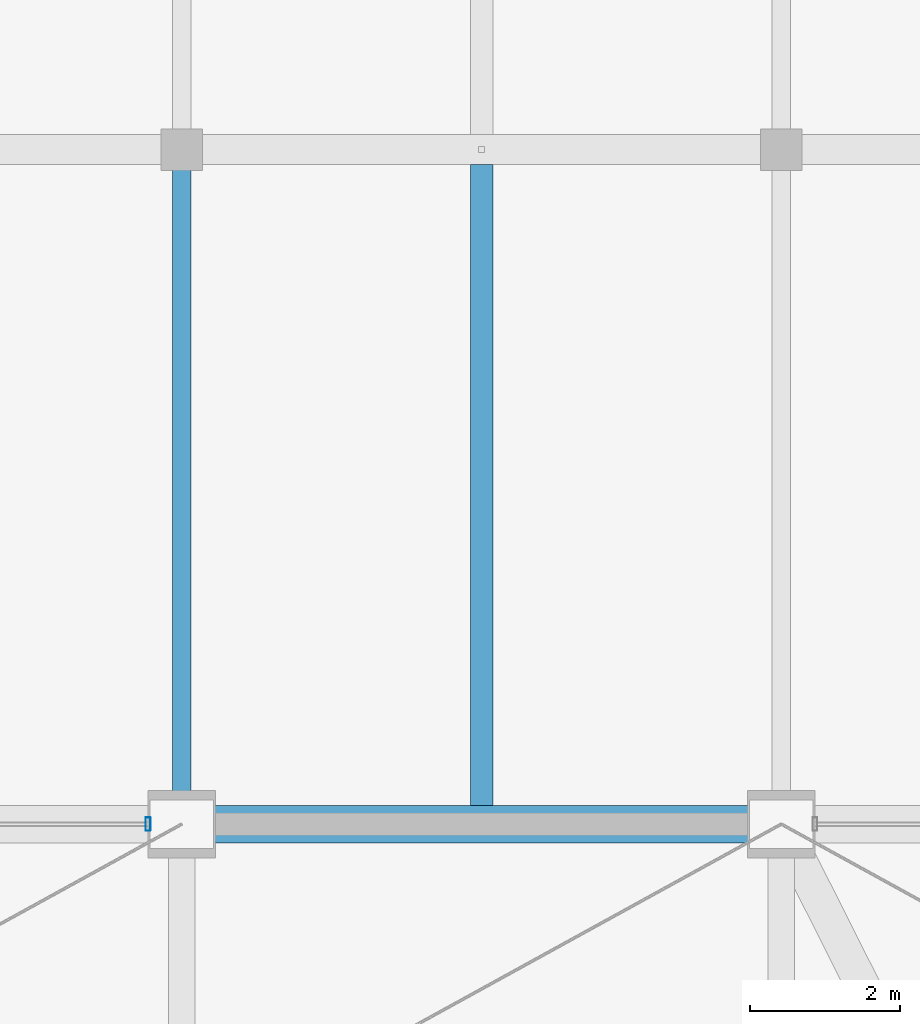
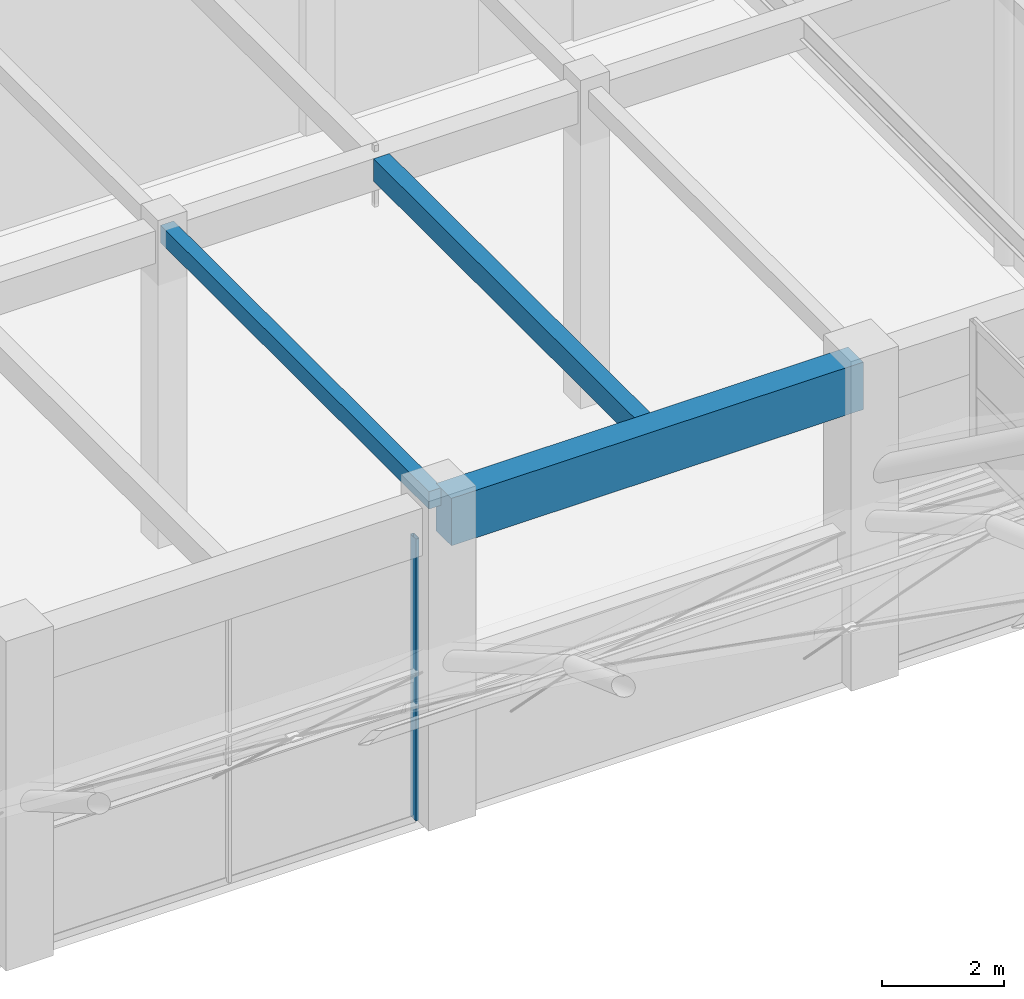
# One storey, part 56 of 163: 3 beams, 1 member, 1 element without a shape of its own.
"""IFC4 building model written with IfcOpenShell, lengths in metres."""

import ifcopenshell
import ifcopenshell.guid

model = None  # the IFC model being written
_history = None  # IfcOwnerHistory: only IFC2X3 demands one
_inside = {}  # id of a spatial element -> (the spatial element, [elements in it])
_under = {}  # id of a project, library or spatial element -> (it, [spatial elements below it])
_declared = {}  # id of a project -> (the project, [libraries it declares])
_typed = {}  # id of a type object -> (the type object, [elements of that type])
_made_of = {}  # id of a material, layer set ... -> (it, [elements and type objects made of it])


def new_model(schema):
    """Start an empty IFC model of exactly this schema.

    Asked for "IFC4X3", IfcOpenShell would pick the latest addendum, in which some entities
    have other attributes; the version numbers below select the first issue.
    IFC2X3 requires an IfcOwnerHistory on every rooted entity: one is made here for all.
    """
    global model, _history
    if schema == "IFC4X3":
        model = ifcopenshell.file(schema_version=(4, 3, 0, 0))
    else:
        model = ifcopenshell.file(schema=schema)
    _inside.clear()
    _under.clear()
    _declared.clear()
    _typed.clear()
    _made_of.clear()
    _history = None
    if model.schema == "IFC2X3":
        org = make("IfcOrganization", Name="unknown")
        user = make(
            "IfcPersonAndOrganization",
            ThePerson=make("IfcPerson", FamilyName="unknown"),
            TheOrganization=org,
        )
        app = make(
            "IfcApplication",
            ApplicationDeveloper=org,
            Version="unknown",
            ApplicationFullName="unknown",
            ApplicationIdentifier="unknown",
        )
        _history = make(
            "IfcOwnerHistory",
            OwningUser=user,
            OwningApplication=app,
            ChangeAction="ADDED",
            CreationDate=0,
        )
    return model


def make(cls, **values):
    """One entity of the class cls with the attributes given. An attribute that is None is left unset."""
    return model.create_entity(
        cls, **{name: value for name, value in values.items() if value is not None}
    )


def rooted(cls, **values):
    """An entity with a GlobalId (a new one), such as an element, a storey or a relation."""
    return make(cls, GlobalId=ifcopenshell.guid.new(), OwnerHistory=_history, **values)


def si_unit(unit_type, name, prefix=None):
    """IfcSIUnit, for example si_unit("LENGTHUNIT", "METRE", prefix="MILLI")."""
    return make("IfcSIUnit", UnitType=unit_type, Prefix=prefix, Name=name)


def assignment(units):
    """IfcUnitAssignment: the units of a project."""
    return None if units is None else make("IfcUnitAssignment", Units=units)


def point(xyz):
    """IfcCartesianPoint."""
    return None if xyz is None else make("IfcCartesianPoint", Coordinates=xyz)


def direction(xyz):
    """IfcDirection."""
    return None if xyz is None else make("IfcDirection", DirectionRatios=xyz)


def frame(location, z_axis=None, x_axis=None):
    """IfcAxis2Placement3D, a coordinate frame: its origin and axes. An axis left out is left unset."""
    return make(
        "IfcAxis2Placement3D",
        Location=point(location),
        Axis=direction(z_axis),
        RefDirection=direction(x_axis),
    )


def frame_2d(location, x_axis=None):
    """IfcAxis2Placement2D, a coordinate frame in the plane: its origin and x axis."""
    return make(
        "IfcAxis2Placement2D", Location=point(location), RefDirection=direction(x_axis)
    )


def origin():
    """The frame at (0, 0, 0) with its axes left unset."""
    return frame((0.0, 0.0, 0.0))


def origin_2d():
    """The frame at (0, 0) in the plane with its x axis left unset."""
    return frame_2d((0.0, 0.0))


def place(relative_to, where):
    """IfcLocalPlacement: puts the frame where relative to a parent placement (None: the world)."""
    return make(
        "IfcLocalPlacement", PlacementRelTo=relative_to, RelativePlacement=where
    )


def context(
    kind, dimensions, precision=None, world=None, true_north=None, identifier=None
):
    """IfcGeometricRepresentationContext, for example the 3D "Model" context."""
    return make(
        "IfcGeometricRepresentationContext",
        ContextIdentifier=identifier,
        ContextType=kind,
        CoordinateSpaceDimension=dimensions,
        Precision=precision,
        WorldCoordinateSystem=world,
        TrueNorth=true_north,
    )


def subcontext(parent, identifier, kind, view, scale=None):
    """IfcGeometricRepresentationSubContext, for example "Body" below "Model"."""
    return make(
        "IfcGeometricRepresentationSubContext",
        ContextIdentifier=identifier,
        ContextType=kind,
        ParentContext=parent,
        TargetScale=scale,
        TargetView=view,
    )


def project(units=None, contexts=None):
    """IfcProject with its units and contexts."""
    return rooted(
        "IfcProject",
        Name="project",
        RepresentationContexts=contexts,
        UnitsInContext=assignment(units),
    )


def spatial(cls, under=None, at=None, **own):
    """A site, building, storey or space (cls), placed at a placement, below another one or the project."""
    s = rooted(cls, ObjectPlacement=at, **own)
    if under is not None:
        _under.setdefault(under.id(), (under, []))[1].append(s)
    return s


def profile(cls, at=None, kind="AREA", **sizes):
    """A parametric profile (cls). Its sizes go by their IFC names, for example OverallWidth=200.0."""
    return make(cls, ProfileType=kind, Position=at, **sizes)


def rectangle(**sizes):
    """IfcRectangleProfileDef."""
    return profile("IfcRectangleProfileDef", **sizes)


def hollow_rectangle(**sizes):
    """IfcRectangleHollowProfileDef."""
    return profile("IfcRectangleHollowProfileDef", **sizes)


def extrude(swept, where, along, depth):
    """IfcExtrudedAreaSolid: the profile swept, set in the frame where, extruded along a direction by depth."""
    return make(
        "IfcExtrudedAreaSolid",
        SweptArea=swept,
        Position=where,
        ExtrudedDirection=direction(along),
        Depth=depth,
    )


def shape(context_of_items, identifier, shape_type, items):
    """IfcShapeRepresentation: the items that make up one representation, for example the "Body"."""
    return make(
        "IfcShapeRepresentation",
        ContextOfItems=context_of_items,
        RepresentationIdentifier=identifier,
        RepresentationType=shape_type,
        Items=items,
    )


def material(Name=None, Category=None):
    """IfcMaterial."""
    return make("IfcMaterial", Name=Name, Category=Category)


def material_profile(
    of_material, cross_section, Name=None, Category=None, Priority=None
):
    """IfcMaterialProfile: a cross section and its material."""
    return make(
        "IfcMaterialProfile",
        Name=Name,
        Material=of_material,
        Profile=cross_section,
        Priority=Priority,
        Category=Category,
    )


def profile_set(profiles, Name=None, composite=None):
    """IfcMaterialProfileSet."""
    return make(
        "IfcMaterialProfileSet",
        Name=Name,
        MaterialProfiles=profiles,
        CompositeProfile=composite,
    )


def made_of(thing, what):
    """Note that an element or type object is made of a material, layer set ...; save() writes the relation."""
    if what is not None:
        _made_of.setdefault(what.id(), (what, []))[1].append(thing)
    return thing


def type_object(cls, material=None, **own):
    """A type object (cls), such as IfcWallType, which elements share."""
    return made_of(rooted(cls, **own), material)


def element(
    cls,
    number,
    at=None,
    inside=None,
    cuts=None,
    type_object=None,
    material=None,
    context=None,
    identifier="Body",
    shape_type=None,
    held_by="IfcProductDefinitionShape",
    body=None,
    shapes=None,
    **own,
):
    """One element of the class cls, such as IfcWall. Its Tag is "e" and its number.

    at: its placement. inside: the storey or other place that contains it. cuts: it is an
    opening in that element (IfcRelVoidsElement). A single representation is given by context,
    identifier, shape_type and body (its items); several are given by shapes. held_by: the class
    of the entity that holds the representations. save() writes the other relations.
    """
    e = rooted(cls, Tag="e%d" % number, ObjectPlacement=at, **own)
    if body is not None:
        shapes = [shape(context, identifier, shape_type, body)]
    if shapes is not None:
        e.Representation = make(held_by, Representations=shapes)
    if inside is not None:
        _inside.setdefault(inside.id(), (inside, []))[1].append(e)
    if cuts is not None:
        rooted(
            "IfcRelVoidsElement", RelatingBuildingElement=cuts, RelatedOpeningElement=e
        )
    if type_object is not None:
        _typed.setdefault(type_object.id(), (type_object, []))[1].append(e)
    return made_of(e, material)


def aggregate(whole, parts):
    """IfcRelAggregates: a whole, such as a stair, and the parts it consists of."""
    return rooted("IfcRelAggregates", RelatingObject=whole, RelatedObjects=parts)


def save(model, path):
    """Write the relations noted so far, then the file.

    IfcRelAggregates (storeys below a building ...), IfcRelContainedInSpatialStructure (elements
    in a storey), IfcRelDefinesByType, IfcRelAssociatesMaterial and IfcRelDeclares: one each for
    every whole, place, type object, material and project.
    """
    for whole, parts in _under.values():
        aggregate(whole, parts)
    for where, things in _inside.values():
        rooted(
            "IfcRelContainedInSpatialStructure",
            RelatedElements=things,
            RelatingStructure=where,
        )
    for kind, things in _typed.values():
        rooted("IfcRelDefinesByType", RelatedObjects=things, RelatingType=kind)
    for what, things in _made_of.values():
        rooted("IfcRelAssociatesMaterial", RelatedObjects=things, RelatingMaterial=what)
    for by, libraries in _declared.values():
        rooted("IfcRelDeclares", RelatingContext=by, RelatedDefinitions=libraries)
    model.write(path)


model = new_model("IFC4")

# Units and contexts
model_context = context("Model", 3, precision=1e-05, world=origin(), true_north=direction((0.0, 1.0)))
body_context = subcontext(model_context, "Body", "Model", "MODEL_VIEW")
ifc_project = project(units=[si_unit("LENGTHUNIT", "METRE"), si_unit("AREAUNIT", "SQUARE_METRE"), si_unit("VOLUMEUNIT", "CUBIC_METRE"), si_unit("PLANEANGLEUNIT", "RADIAN"), si_unit("MASSUNIT", "GRAM", prefix="KILO")], contexts=[model_context])

# Site, building, storey
site_placement = place(None, origin())
site = spatial("IfcSite", under=ifc_project, at=site_placement, CompositionType="ELEMENT")
building_placement = place(site_placement, origin())
building = spatial("IfcBuilding", under=site, at=building_placement, Name="Varnabhumi Central Station", CompositionType="ELEMENT")
storey_placement = place(building_placement, frame((0.0, 0.0, 9.60009765625)))
storey = spatial("IfcBuildingStorey", under=building, at=storey_placement, Name="L02", CompositionType="ELEMENT", Elevation=9.60009765625)

# Beams
ifc_material_1 = material(Name="Concrete M35", Category="concrete")
ifc_material_profile_1 = material_profile(ifc_material_1, rectangle(XDim=0.25, YDim=0.35009765625, at=origin_2d()), Name="Concrete M35", Category="concrete")
ifc_profile_set_1 = profile_set([ifc_material_profile_1], Name="Concrete M35")
beam_type_1 = type_object("IfcBeamType", Name="BM-RC-250x350", PredefinedType="LINTEL", material=ifc_profile_set_1)
beam_1_placement = place(storey_placement, frame((32.0, 80.10009765625, 6.1748046875), z_axis=(0.0, 1.0, 0.0), x_axis=(-1.0, 0.0, 0.0)))
element("IfcBeam", 1, at=beam_1_placement, inside=storey, type_object=beam_type_1, Name="Beam L02-5:K-L", PredefinedType="LINTEL", context=body_context, shape_type="SweptSolid", body=[
    extrude(rectangle(XDim=0.25, YDim=0.35009765625, at=origin_2d()), origin(), (0.0, 0.0, 1.0), 8.7998046875),
])
ifc_material_2 = material(Name="Concrete M40", Category="concrete")
ifc_material_profile_2 = material_profile(ifc_material_2, rectangle(XDim=0.300048828125, YDim=0.449951171875, at=origin_2d()), Name="Concrete M40", Category="concrete")
ifc_profile_set_2 = profile_set([ifc_material_profile_2], Name="Concrete M40")
beam_type_2 = type_object("IfcBeamType", Name="BM-RC-300x450", PredefinedType="JOIST", material=ifc_profile_set_2)
beam_2_placement = place(storey_placement, frame((36.0, 80.25, 6.125), z_axis=(0.0, 1.0, 0.0), x_axis=(-1.0, 0.0, 0.0)))
element("IfcBeam", 2, at=beam_2_placement, inside=storey, type_object=beam_type_2, Name="Secondary Joist L02-5/6:K-L", PredefinedType="JOIST", context=body_context, shape_type="SweptSolid", body=[
    extrude(rectangle(XDim=0.300048828125, YDim=0.449951171875, at=origin_2d()), origin(), (0.0, 0.0, 1.0), 8.550048828125),
])
ifc_material_profile_3 = material_profile(ifc_material_2, rectangle(XDim=0.5, YDim=0.949951171875, at=origin_2d()), Name="Concrete M40", Category="concrete")
ifc_profile_set_3 = profile_set([ifc_material_profile_3], Name="Concrete M40")
beam_type_3 = type_object("IfcBeamType", Name="BM-RC-950x500", PredefinedType="BEAM", material=ifc_profile_set_3)
beam_3_placement = place(storey_placement, frame((32.10009765625, 80.0, 5.875), z_axis=(1.0, 0.0, 0.0), x_axis=(0.0, 1.0, 0.0)))
element("IfcBeam", 3, at=beam_3_placement, inside=storey, type_object=beam_type_3, Name="Beam L02-K:5-6", PredefinedType="BEAM", context=body_context, shape_type="SweptSolid", body=[
    extrude(rectangle(XDim=0.5, YDim=0.949951171875, at=origin_2d()), origin(), (0.0, 0.0, 1.0), 7.7998046875),
])

# Curtain wall, member
ifc_material_3 = material(Name="Anodised aluminium 6063-T6", Category="aluminium")
curtain_wall_type = type_object("IfcCurtainWallType", Name="CW-SPINE-SCREEN-L2", PredefinedType="NOTDEFINED", material=ifc_material_3)
curtain_wall_placement = place(storey_placement, origin())
curtain_wall = element("IfcCurtainWall", 4, at=curtain_wall_placement, inside=storey, type_object=curtain_wall_type, Name="Curtain Wall CW-NS200", PredefinedType="NOTDEFINED")
ifc_material_profile_4 = material_profile(ifc_material_3, hollow_rectangle(XDim=0.06494140625, YDim=0.179931640625, WallThickness=0.00390625, InnerFilletRadius=0.001953125, OuterFilletRadius=0.006103515625, at=origin_2d()), Name="Anodised aluminium 6063-T6", Category="aluminium")
ifc_profile_set_4 = profile_set([ifc_material_profile_4], Name="Anodised aluminium 6063-T6")
member_type = type_object("IfcMemberType", Name="CW-MUL-180", PredefinedType="MULLION", material=ifc_profile_set_4)
member_placement = place(storey_placement, frame((31.550048828125, 80.0, 0.0), z_axis=(0.0, 0.0, 1.0), x_axis=(1.0, 0.0, 0.0)))
member = element("IfcMember", 5, at=member_placement, type_object=member_type, Name="Curtain Wall Mullion CW-NS200-M3", PredefinedType="MULLION", context=body_context, shape_type="SweptSolid", body=[
    extrude(hollow_rectangle(XDim=0.06494140625, YDim=0.179931640625, WallThickness=0.00390625, InnerFilletRadius=0.001953125, OuterFilletRadius=0.006103515625, at=origin_2d()), origin(), (0.0, 0.0, 1.0), 5.639892578125),
])
aggregate(curtain_wall, [member])

save(model, "model.ifc")
